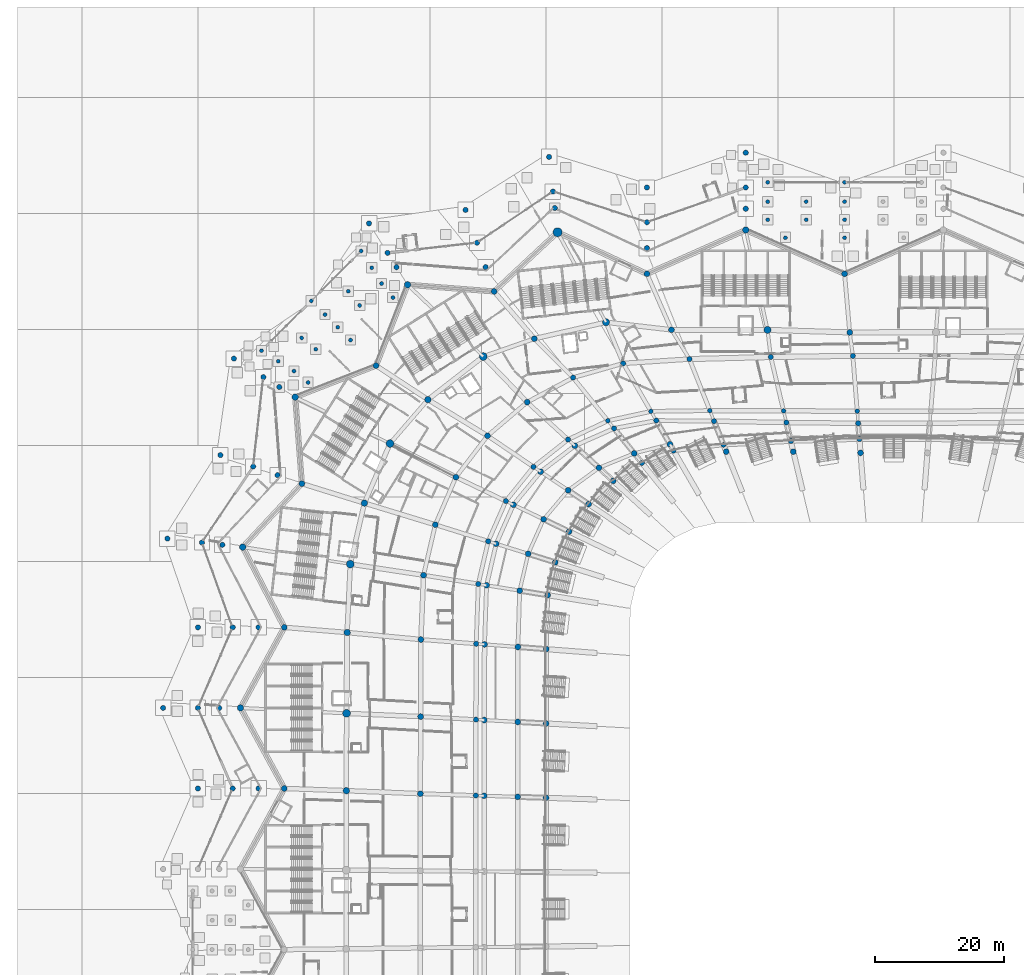
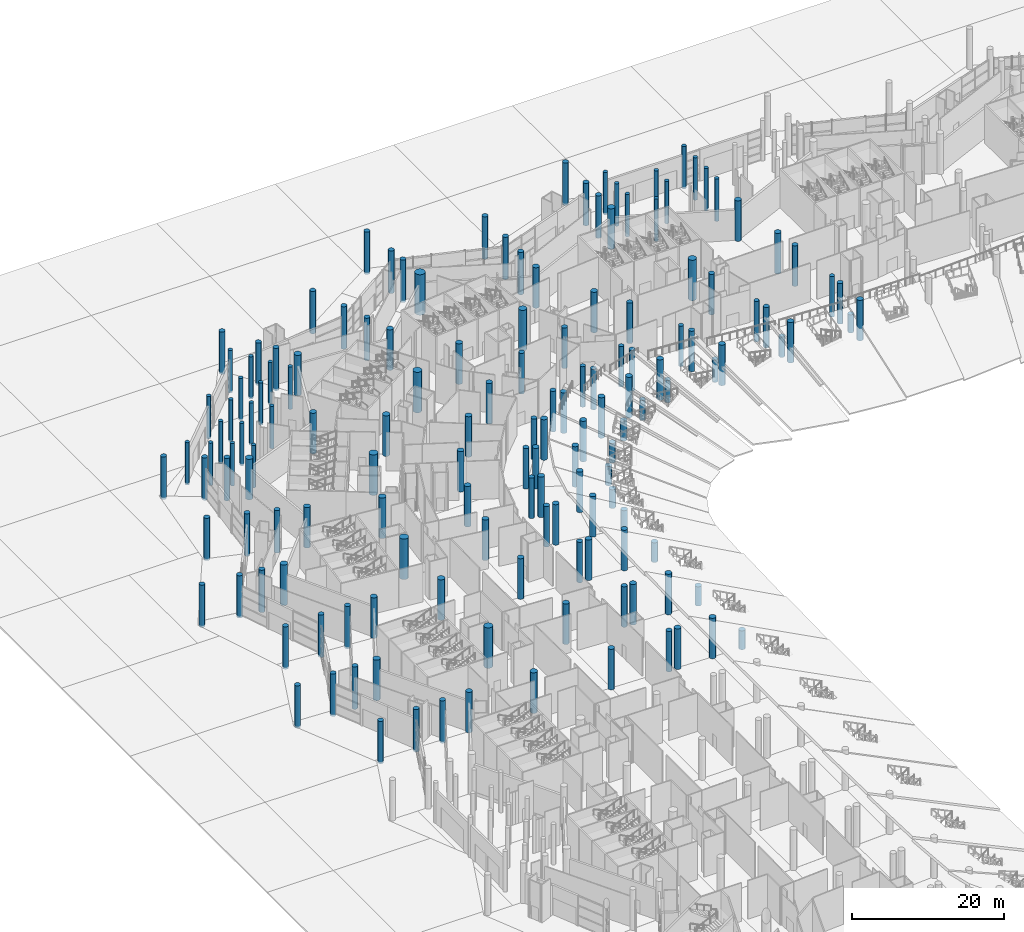
# One storey, part 13 of 255: 150 columns.
"""IFC4 building model written with IfcOpenShell, lengths in metres."""

from ifc_helpers import new_model, si_unit, direction, frame, origin, origin_2d, place, context, subcontext, project, spatial, circle, extrude, material, material_profile, profile_set, type_object, element, save


model = new_model("IFC4")

# Units and contexts
model_context = context("Model", 3, precision=1e-05, world=origin(), true_north=direction((0.0, 1.0)))
body_context = subcontext(model_context, "Body", "Model", "MODEL_VIEW")
ifc_project = project(units=[si_unit("LENGTHUNIT", "METRE"), si_unit("AREAUNIT", "SQUARE_METRE"), si_unit("VOLUMEUNIT", "CUBIC_METRE"), si_unit("PLANEANGLEUNIT", "RADIAN"), si_unit("MASSUNIT", "GRAM", prefix="KILO")], contexts=[model_context])

# Site, building, storey
site_placement = place(None, origin())
site = spatial("IfcSite", under=ifc_project, at=site_placement, CompositionType="ELEMENT")
building_placement = place(site_placement, origin())
building = spatial("IfcBuilding", under=site, at=building_placement, Name="Meseta Stadium", CompositionType="ELEMENT")
storey_placement = place(building_placement, origin())
storey = spatial("IfcBuildingStorey", under=building, at=storey_placement, Name="L00", CompositionType="ELEMENT", Elevation=0.0)

# Columns
ifc_material_1 = material(Name="Concrete C40/50", Category="concrete")
ifc_material_profile_1 = material_profile(ifc_material_1, circle(Radius=0.300048828125, at=origin_2d()), Name="RC D600")
ifc_profile_set_1 = profile_set([ifc_material_profile_1], Name="Concrete C40/50")
column_type_1 = type_object("IfcColumnType", Name="Gate column D600", PredefinedType="COLUMN", material=ifc_profile_set_1)
for number, where, z_axis, x_axis, name in (
    (1, (-7.666748046875, 104.199951171875, -0.300048828125), (0.0, 0.0, 1.0), (1.0, 0.0, 0.0), "Gate 3 column L00"),
    (2, (-16.85009765625, 104.199951171875, -0.300048828125), (0.0, 0.0, 1.0), (1.0, 0.0, 0.0), "Gate 3 column L00"),
    (3, (-7.666748046875, 107.0, -0.300048828125), (0.0, 0.0, 1.0), (1.0, 0.0, 0.0), "Gate 3 column L00"),
    (4, (-13.63330078125, 107.0, -0.300048828125), (0.0, 0.0, 1.0), (1.0, 0.0, 0.0), "Gate 3 column L00"),
    (5, (-19.60009765625, 107.0, -0.300048828125), (0.0, 0.0, 1.0), (1.0, 0.0, 0.0), "Gate 3 column L00"),
    (6, (-7.666748046875, 109.800048828125, -0.300048828125), (0.0, 0.0, 1.0), (1.0, 0.0, 0.0), "Gate 3 column L00"),
    (7, (-13.63330078125, 109.800048828125, -0.300048828125), (0.0, 0.0, 1.0), (1.0, 0.0, 0.0), "Gate 3 column L00"),
    (8, (-19.60009765625, 109.800048828125, -0.300048828125), (0.0, 0.0, 1.0), (1.0, 0.0, 0.0), "Gate 3 column L00"),
    (9, (-7.666748046875, 112.800048828125, -0.300048828125), (0.0, 0.0, 1.0), (1.0, 0.0, 0.0), "Gate 3 column L00"),
    (10, (-19.60009765625, 112.800048828125, -0.300048828125), (0.0, 0.0, 1.0), (1.0, 0.0, 0.0), "Gate 3 column L00"),
    (11, (-77.74169921875, 94.90869140625, -0.300048828125), (0.0, 0.0, 1.0), (1.0, 0.0, 0.0), "Gate 4 column L00"),
    (12, (-84.3251953125, 88.3251953125, -0.300048828125), (0.0, 0.0, 1.0), (1.0, 0.0, 0.0), "Gate 4 column L00"),
    (13, (-90.90869140625, 81.74169921875, -0.300048828125), (0.0, 0.0, 1.0), (1.0, 0.0, 0.0), "Gate 4 column L00"),
    (14, (-79.510009765625, 97.100341796875, -0.300048828125), (0.0, 0.0, 1.0), (1.0, 0.0, 0.0), "Gate 4 column L00"),
    (15, (-82.907470703125, 93.70263671875, -0.300048828125), (0.0, 0.0, 1.0), (1.0, 0.0, 0.0), "Gate 4 column L00"),
    (16, (-86.30517578125, 90.30517578125, -0.300048828125), (0.0, 0.0, 1.0), (1.0, 0.0, 0.0), "Gate 4 column L00"),
    (17, (-89.70263671875, 86.907470703125, -0.300048828125), (0.0, 0.0, 1.0), (1.0, 0.0, 0.0), "Gate 4 column L00"),
    (18, (-93.100341796875, 83.510009765625, -0.300048828125), (0.0, 0.0, 1.0), (1.0, 0.0, 0.0), "Gate 4 column L00"),
    (19, (-81.037841796875, 99.531982421875, -0.300048828125), (0.0, 0.0, 1.0), (1.0, 0.0, 0.0), "Gate 4 column L00"),
    (20, (-84.661376953125, 95.908447265625, -0.300048828125), (0.0, 0.0, 1.0), (1.0, 0.0, 0.0), "Gate 4 column L00"),
    (21, (-88.284912109375, 92.284912109375, -0.300048828125), (0.0, 0.0, 1.0), (1.0, 0.0, 0.0), "Gate 4 column L00"),
    (22, (-91.908447265625, 88.661376953125, -0.300048828125), (0.0, 0.0, 1.0), (1.0, 0.0, 0.0), "Gate 4 column L00"),
    (23, (-95.531982421875, 85.037841796875, -0.300048828125), (0.0, 0.0, 1.0), (1.0, 0.0, 0.0), "Gate 4 column L00"),
    (24, (-82.675048828125, 102.1376953125, -0.300048828125), (0.0, 0.0, 1.0), (1.0, 0.0, 0.0), "Gate 4 column L00"),
    (25, (-90.40625, 94.40625, -0.300048828125), (0.0, 0.0, 1.0), (1.0, 0.0, 0.0), "Gate 4 column L00"),
    (26, (-98.1376953125, 86.675048828125, -0.300048828125), (0.0, 0.0, 1.0), (1.0, 0.0, 0.0), "Gate 4 column L00"),
):
    element("IfcColumn", number, at=place(storey_placement, frame(where, z_axis=z_axis, x_axis=x_axis)), inside=storey, type_object=column_type_1, Name=name, PredefinedType="COLUMN", context=body_context, shape_type="SweptSolid", body=[
        extrude(circle(Radius=0.300048828125, at=origin_2d()), origin(), (0.0, 0.0, 1.0), 6.800048828125),
    ])
ifc_material_2 = material(Name="Concrete C40/50", Category="concrete")
ifc_material_profile_2 = material_profile(ifc_material_2, circle(Radius=0.5, at=origin_2d()), Name="RC D1000")
ifc_profile_set_2 = profile_set([ifc_material_profile_2], Name="Concrete C40/50")
column_type_2 = type_object("IfcColumnType", Name="RC column D1000", PredefinedType="COLUMN", material=ifc_profile_set_2)
for number, where, z_axis, x_axis, name in (
    (27, (-23.0, 105.39990234375, 0.0), (0.0, 0.0, 1.0), (1.0, 0.0, 0.0), "Column C10 L00 frame 20 line R"),
    (28, (-75.474609375, 96.908447265625, 0.0), (0.0, 0.0, 1.0), (1.0, 0.0, 0.0), "Column C10 L00 frame 24 line R"),
    (29, (-72.31201171875, 79.091064453125, 0.0), (0.0, 0.0, 1.0), (1.0, 0.0, 0.0), "Column C10 L00 frame 25 line P"),
    (30, (-92.908447265625, 79.474609375, 0.0), (0.0, 0.0, 1.0), (1.0, 0.0, 0.0), "Column C10 L00 frame 26 line R"),
    (31, (-82.169189453125, 63.03369140625, 0.0), (0.0, 0.0, 1.0), (1.0, 0.0, 0.0), "Column C10 L00 frame 27 line P"),
    (32, (-101.0517578125, 56.202880859375, 0.0), (0.0, 0.0, 1.0), (1.0, 0.0, 0.0), "Column C10 L00 frame 28 line R"),
    (33, (-84.85400390625, 42.948486328125, 0.0), (0.0, 0.0, 1.0), (1.0, 0.0, 0.0), "Column C10 L00 frame 29 line P"),
    (34, (-101.39990234375, 31.25, 0.0), (0.0, 0.0, 1.0), (1.0, 0.0, 0.0), "Column C10 L00 frame 30 line R"),
    (35, (-84.97314453125, 18.41064453125, 0.0), (0.0, 0.0, 1.0), (1.0, 0.0, 0.0), "Column C10 L00 frame 31 line P"),
):
    element("IfcColumn", number, at=place(storey_placement, frame(where, z_axis=z_axis, x_axis=x_axis)), inside=storey, type_object=column_type_2, Name=name, PredefinedType="COLUMN", context=body_context, shape_type="SweptSolid", body=[
        extrude(circle(Radius=0.5, at=origin_2d()), origin(), (0.0, 0.0, 1.0), 6.5),
    ])
ifc_material_3 = material(Name="Concrete C40/50", Category="concrete")
ifc_material_profile_3 = material_profile(ifc_material_3, circle(Radius=0.550048828125, at=origin_2d()), Name="RC D1100")
ifc_profile_set_3 = profile_set([ifc_material_profile_3], Name="Concrete C40/50")
column_type_3 = type_object("IfcColumnType", Name="RC column D1100", PredefinedType="COLUMN", material=ifc_profile_set_3)
for number, where, z_axis, x_axis, name in (
    (36, (-19.62744140625, 89.90380859375, 0.0), (0.0, 0.0, 1.0), (1.0, 0.0, 0.0), "Column C11 L00 frame 20 line P"),
    (37, (-44.6826171875, 91.0908203125, 0.0), (0.0, 0.0, 1.0), (1.0, 0.0, 0.0), "Column C11 L00 frame 22 line P"),
):
    element("IfcColumn", number, at=place(storey_placement, frame(where, z_axis=z_axis, x_axis=x_axis)), inside=storey, type_object=column_type_3, Name=name, PredefinedType="COLUMN", context=body_context, shape_type="SweptSolid", body=[
        extrude(circle(Radius=0.550048828125, at=origin_2d()), origin(), (0.0, 0.0, 1.0), 6.5),
    ])
ifc_material_4 = material(Name="Concrete C40/50", Category="concrete")
ifc_material_profile_4 = material_profile(ifc_material_4, circle(Radius=0.60009765625, at=origin_2d()), Name="RC D1200")
ifc_profile_set_4 = profile_set([ifc_material_profile_4], Name="Concrete C40/50")
column_type_4 = type_object("IfcColumnType", Name="RC column D1200", PredefinedType="COLUMN", material=ifc_profile_set_4)
for number, where, z_axis, x_axis, name in (
    (38, (-63.731201171875, 85.77099609375, 0.0), (0.0, 0.0, 1.0), (1.0, 0.0, 0.0), "Column C12 L00 frame 24 line P"),
    (39, (-78.197998046875, 72.27197265625, 0.0), (0.0, 0.0, 1.0), (1.0, 0.0, 0.0), "Column C12 L00 frame 26 line P"),
    (40, (-84.36328125, 53.5654296875, 0.0), (0.0, 0.0, 1.0), (1.0, 0.0, 0.0), "Column C12 L00 frame 28 line P"),
    (41, (-84.940673828125, 30.404052734375, 0.0), (0.0, 0.0, 1.0), (1.0, 0.0, 0.0), "Column C12 L00 frame 30 line P"),
):
    element("IfcColumn", number, at=place(storey_placement, frame(where, z_axis=z_axis, x_axis=x_axis)), inside=storey, type_object=column_type_4, Name=name, PredefinedType="COLUMN", context=body_context, shape_type="SweptSolid", body=[
        extrude(circle(Radius=0.60009765625, at=origin_2d()), origin(), (0.0, 0.0, 1.0), 6.5),
    ])
ifc_material_5 = material(Name="Concrete C40/50", Category="concrete")
ifc_material_profile_5 = material_profile(ifc_material_5, circle(Radius=0.699951171875, at=origin_2d()), Name="RC D1400")
ifc_profile_set_5 = profile_set([ifc_material_profile_5], Name="Concrete C40/50")
column_type_5 = type_object("IfcColumnType", Name="RC column D1400", PredefinedType="COLUMN", material=ifc_profile_set_5)
column_1_placement = place(storey_placement, frame((-52.202880859375, 105.0517578125, 0.0), z_axis=(0.0, 0.0, 1.0), x_axis=(1.0, 0.0, 0.0)))
element("IfcColumn", 42, at=column_1_placement, inside=storey, type_object=column_type_5, Name="Column C14 L00 frame 22 line R", PredefinedType="COLUMN", context=body_context, shape_type="SweptSolid", body=[
    extrude(circle(Radius=0.699951171875, at=origin_2d()), origin(), (0.0, 0.0, 1.0), 6.5),
])
ifc_material_6 = material(Name="Concrete C40/50", Category="concrete")
ifc_material_profile_6 = material_profile(ifc_material_6, circle(Radius=0.35009765625, at=origin_2d()), Name="RC D700")
ifc_profile_set_6 = profile_set([ifc_material_profile_6], Name="Concrete C40/50")
column_type_6 = type_object("IfcColumnType", Name="RC column D700", PredefinedType="COLUMN", material=ifc_profile_set_6)
for number, where, z_axis, x_axis, name in (
    (43, (-5.70654296875, 77.3037109375, 0.0), (0.0, 0.0, 1.0), (1.0, 0.0, 0.0), "Column C7 L00 frame 19 line D"),
    (44, (-17.126708984375, 77.33203125, 0.0), (0.0, 0.0, 1.0), (1.0, 0.0, 0.0), "Column C7 L00 frame 20 line D"),
    (45, (-28.564697265625, 77.38330078125, 0.0), (0.0, 0.0, 1.0), (1.0, 0.0, 0.0), "Column C7 L00 frame 21 line D"),
    (46, (-37.711669921875, 77.26171875, 0.0), (0.0, 0.0, 1.0), (1.0, 0.0, 0.0), "Column C7 L00 frame 22 line D"),
    (47, (-44.39013671875, 75.806396484375, 0.0), (0.0, 0.0, 1.0), (1.0, 0.0, 0.0), "Column C7 L00 frame 23 line D"),
):
    element("IfcColumn", number, at=place(storey_placement, frame(where, z_axis=z_axis, x_axis=x_axis)), inside=storey, type_object=column_type_6, Name=name, PredefinedType="COLUMN", context=body_context, shape_type="SweptSolid", body=[
        extrude(circle(Radius=0.35009765625, at=origin_2d()), origin(), (0.0, 0.0, 1.0), 6.5),
    ])
ifc_material_7 = material(Name="Concrete C40/50", Category="concrete")
ifc_material_profile_7 = material_profile(ifc_material_7, circle(Radius=0.39990234375, at=origin_2d()), Name="RC D800")
ifc_profile_set_7 = profile_set([ifc_material_profile_7], Name="Concrete C40/50")
column_type_7 = type_object("IfcColumnType", Name="RC column D800", PredefinedType="COLUMN", material=ifc_profile_set_7)
column_2_placement = place(storey_placement, frame((-5.36181640625, 72.959228515625, 0.0), z_axis=(0.0, 0.0, 1.0), x_axis=(1.0, 0.0, 0.0)))
element("IfcColumn", 48, at=column_2_placement, inside=storey, type_object=column_type_7, Name="Column C8 L00 frame 19 line B", PredefinedType="COLUMN", context=body_context, shape_type="SweptSolid", body=[
    extrude(circle(Radius=0.39990234375, at=origin_2d()), origin(), (0.0, 0.0, 1.0), 2.91455078125),
])
for number, where, z_axis, x_axis, name in (
    (49, (-5.556640625, 75.4150390625, 0.0), (0.0, 0.0, 1.0), (1.0, 0.0, 0.0), "Column C8 L00 frame 19 line C"),
    (50, (-6.386962890625, 85.876708984375, 0.0), (0.0, 0.0, 1.0), (1.0, 0.0, 0.0), "Column C8 L00 frame 19 line E"),
):
    element("IfcColumn", number, at=place(storey_placement, frame(where, z_axis=z_axis, x_axis=x_axis)), inside=storey, type_object=column_type_7, Name=name, PredefinedType="COLUMN", context=body_context, shape_type="SweptSolid", body=[
        extrude(circle(Radius=0.39990234375, at=origin_2d()), origin(), (0.0, 0.0, 1.0), 6.5),
    ])
column_3_placement = place(storey_placement, frame((-16.010986328125, 72.646484375, 0.0), z_axis=(0.0, 0.0, 1.0), x_axis=(1.0, 0.0, 0.0)))
element("IfcColumn", 51, at=column_3_placement, inside=storey, type_object=column_type_7, Name="Column C8 L00 frame 20 line B", PredefinedType="COLUMN", context=body_context, shape_type="SweptSolid", body=[
    extrude(circle(Radius=0.39990234375, at=origin_2d()), origin(), (0.0, 0.0, 1.0), 3.262451171875),
])
for number, where, z_axis, x_axis, name in (
    (52, (-16.697509765625, 75.529541015625, 0.0), (0.0, 0.0, 1.0), (1.0, 0.0, 0.0), "Column C8 L00 frame 20 line C"),
    (53, (-19.11865234375, 85.6982421875, 0.0), (0.0, 0.0, 1.0), (1.0, 0.0, 0.0), "Column C8 L00 frame 20 line E"),
):
    element("IfcColumn", number, at=place(storey_placement, frame(where, z_axis=z_axis, x_axis=x_axis)), inside=storey, type_object=column_type_7, Name=name, PredefinedType="COLUMN", context=body_context, shape_type="SweptSolid", body=[
        extrude(circle(Radius=0.39990234375, at=origin_2d()), origin(), (0.0, 0.0, 1.0), 6.5),
    ])
column_4_placement = place(storey_placement, frame((-26.461669921875, 72.08349609375, 0.0), z_axis=(0.0, 0.0, 1.0), x_axis=(1.0, 0.0, 0.0)))
element("IfcColumn", 54, at=column_4_placement, inside=storey, type_object=column_type_7, Name="Column C8 L00 frame 21 line B", PredefinedType="COLUMN", context=body_context, shape_type="SweptSolid", body=[
    extrude(circle(Radius=0.39990234375, at=origin_2d()), origin(), (0.0, 0.0, 1.0), 3.587646484375),
])
for number, where, z_axis, x_axis, name in (
    (55, (-27.910888671875, 75.735595703125, 0.0), (0.0, 0.0, 1.0), (1.0, 0.0, 0.0), "Column C8 L00 frame 21 line C"),
    (56, (-31.73681640625, 85.376708984375, 0.0), (0.0, 0.0, 1.0), (1.0, 0.0, 0.0), "Column C8 L00 frame 21 line E"),
):
    element("IfcColumn", number, at=place(storey_placement, frame(where, z_axis=z_axis, x_axis=x_axis)), inside=storey, type_object=column_type_7, Name=name, PredefinedType="COLUMN", context=body_context, shape_type="SweptSolid", body=[
        extrude(circle(Radius=0.39990234375, at=origin_2d()), origin(), (0.0, 0.0, 1.0), 6.5),
    ])
column_5_placement = place(storey_placement, frame((-34.185302734375, 71.16064453125, 0.0), z_axis=(0.0, 0.0, 1.0), x_axis=(1.0, 0.0, 0.0)))
element("IfcColumn", 57, at=column_5_placement, inside=storey, type_object=column_type_7, Name="Column C8 L00 frame 22 line B", PredefinedType="COLUMN", context=body_context, shape_type="SweptSolid", body=[
    extrude(circle(Radius=0.39990234375, at=origin_2d()), origin(), (0.0, 0.0, 1.0), 3.56884765625),
])
for number, where, z_axis, x_axis, name in (
    (58, (-36.8857421875, 75.8330078125, 0.0), (0.0, 0.0, 1.0), (1.0, 0.0, 0.0), "Column C8 L00 frame 22 line C"),
    (59, (-42.015625, 84.707275390625, 0.0), (0.0, 0.0, 1.0), (1.0, 0.0, 0.0), "Column C8 L00 frame 22 line E"),
):
    element("IfcColumn", number, at=place(storey_placement, frame(where, z_axis=z_axis, x_axis=x_axis)), inside=storey, type_object=column_type_7, Name=name, PredefinedType="COLUMN", context=body_context, shape_type="SweptSolid", body=[
        extrude(circle(Radius=0.39990234375, at=origin_2d()), origin(), (0.0, 0.0, 1.0), 6.5),
    ])
column_6_placement = place(storey_placement, frame((-39.11865234375, 69.274658203125, 0.0), z_axis=(0.0, 0.0, 1.0), x_axis=(1.0, 0.0, 0.0)))
element("IfcColumn", 60, at=column_6_placement, inside=storey, type_object=column_type_7, Name="Column C8 L00 frame 23 line B", PredefinedType="COLUMN", context=body_context, shape_type="SweptSolid", body=[
    extrude(circle(Radius=0.39990234375, at=origin_2d()), origin(), (0.0, 0.0, 1.0), 3.234130859375),
])
for number, where, z_axis, x_axis, name in (
    (61, (-43.430419921875, 74.617431640625, 0.0), (0.0, 0.0, 1.0), (1.0, 0.0, 0.0), "Column C8 L00 frame 23 line C"),
    (62, (-49.791259765625, 82.498779296875, 0.0), (0.0, 0.0, 1.0), (1.0, 0.0, 0.0), "Column C8 L00 frame 23 line E"),
    (63, (-50.571533203125, 72.888671875, 0.0), (0.0, 0.0, 1.0), (1.0, 0.0, 0.0), "Column C8 L00 frame 24 line D"),
    (64, (-55.940185546875, 68.657958984375, 0.0), (0.0, 0.0, 1.0), (1.0, 0.0, 0.0), "Column C8 L00 frame 25 line D"),
    (65, (-60.22216796875, 63.33056640625, 0.0), (0.0, 0.0, 1.0), (1.0, 0.0, 0.0), "Column C8 L00 frame 26 line D"),
    (66, (-62.963623046875, 57.1044921875, 0.0), (0.0, 0.0, 1.0), (1.0, 0.0, 0.0), "Column C8 L00 frame 27 line D"),
    (67, (-64.501708984375, 50.479736328125, 0.0), (0.0, 0.0, 1.0), (1.0, 0.0, 0.0), "Column C8 L00 frame 28 line D"),
    (68, (-64.829833984375, 41.2041015625, 0.0), (0.0, 0.0, 1.0), (1.0, 0.0, 0.0), "Column C8 L00 frame 29 line D"),
    (69, (-64.8642578125, 29.433349609375, 0.0), (0.0, 0.0, 1.0), (1.0, 0.0, 0.0), "Column C8 L00 frame 30 line D"),
    (70, (-64.886962890625, 17.66064453125, 0.0), (0.0, 0.0, 1.0), (1.0, 0.0, 0.0), "Column C8 L00 frame 31 line D"),
):
    element("IfcColumn", number, at=place(storey_placement, frame(where, z_axis=z_axis, x_axis=x_axis)), inside=storey, type_object=column_type_7, Name=name, PredefinedType="COLUMN", context=body_context, shape_type="SweptSolid", body=[
        extrude(circle(Radius=0.39990234375, at=origin_2d()), origin(), (0.0, 0.0, 1.0), 6.5),
    ])
for number, where, z_axis, x_axis, name in (
    (71, (-23.0, 108.699951171875, -0.300048828125), (0.0, 0.0, 1.0), (1.0, 0.0, 0.0), "Ring column C8 L00 frame 20 line M"),
    (72, (-23.0, 112.0, -0.300048828125), (0.0, 0.0, 1.0), (1.0, 0.0, 0.0), "Ring column C8 L00 frame 20 line Q"),
    (73, (-23.0, 117.39990234375, -0.300048828125), (0.0, 0.0, 1.0), (1.0, 0.0, 0.0), "Ring column C8 L00 frame 20 line O"),
    (74, (-38.333251953125, 102.60009765625, -0.300048828125), (0.0, 0.0, 1.0), (1.0, 0.0, 0.0), "Ring column C8 L00 frame 21 line M"),
    (75, (-38.333251953125, 106.60009765625, -0.300048828125), (0.0, 0.0, 1.0), (1.0, 0.0, 0.0), "Ring column C8 L00 frame 21 line Q"),
    (76, (-38.333251953125, 112.0, -0.300048828125), (0.0, 0.0, 1.0), (1.0, 0.0, 0.0), "Ring column C8 L00 frame 21 line O"),
    (77, (-52.626220703125, 108.80810546875, -0.300048828125), (0.0, 0.0, 1.0), (1.0, 0.0, 0.0), "Ring column C8 L00 frame 22 line M"),
    (78, (-52.9150390625, 111.372314453125, -0.300048828125), (0.0, 0.0, 1.0), (1.0, 0.0, 0.0), "Ring column C8 L00 frame 22 line Q"),
    (79, (-53.51953125, 116.73828125, -0.300048828125), (0.0, 0.0, 1.0), (1.0, 0.0, 0.0), "Ring column C8 L00 frame 22 line O"),
    (80, (-63.372802734375, 99.648193359375, -0.300048828125), (0.0, 0.0, 1.0), (1.0, 0.0, 0.0), "Ring column C8 L00 frame 23 line M"),
    (81, (-64.69384765625, 103.423828125, -0.300048828125), (0.0, 0.0, 1.0), (1.0, 0.0, 0.0), "Ring column C8 L00 frame 23 line Q"),
    (82, (-66.477294921875, 108.520751953125, -0.300048828125), (0.0, 0.0, 1.0), (1.0, 0.0, 0.0), "Ring column C8 L00 frame 23 line O"),
    (83, (-77.187255859375, 99.63427734375, -0.300048828125), (0.0, 0.0, 1.0), (1.0, 0.0, 0.0), "Ring column C8 L00 frame 24 line M"),
    (84, (-78.580810546875, 101.851806640625, -0.300048828125), (0.0, 0.0, 1.0), (1.0, 0.0, 0.0), "Ring column C8 L00 frame 24 line Q"),
    (85, (-81.45361328125, 106.42431640625, -0.300048828125), (0.0, 0.0, 1.0), (1.0, 0.0, 0.0), "Ring column C8 L00 frame 24 line O"),
    (86, (-95.380126953125, 81.027587890625, -0.300048828125), (0.0, 0.0, 1.0), (1.0, 0.0, 0.0), "Ring column C8 L00 frame 26 line M"),
    (87, (-97.851806640625, 82.580810546875, -0.300048828125), (0.0, 0.0, 1.0), (1.0, 0.0, 0.0), "Ring column C8 L00 frame 26 line Q"),
    (88, (-102.42431640625, 85.45361328125, -0.300048828125), (0.0, 0.0, 1.0), (1.0, 0.0, 0.0), "Ring column C8 L00 frame 26 line O"),
    (89, (-95.648193359375, 67.372802734375, -0.300048828125), (0.0, 0.0, 1.0), (1.0, 0.0, 0.0), "Ring column C8 L00 frame 27 line M"),
    (90, (-99.423828125, 68.69384765625, -0.300048828125), (0.0, 0.0, 1.0), (1.0, 0.0, 0.0), "Ring column C8 L00 frame 27 line Q"),
    (91, (-104.520751953125, 70.477294921875, -0.300048828125), (0.0, 0.0, 1.0), (1.0, 0.0, 0.0), "Ring column C8 L00 frame 27 line O"),
    (92, (-104.2119140625, 56.558837890625, -0.300048828125), (0.0, 0.0, 1.0), (1.0, 0.0, 0.0), "Ring column C8 L00 frame 28 line M"),
    (93, (-107.372314453125, 56.9150390625, -0.300048828125), (0.0, 0.0, 1.0), (1.0, 0.0, 0.0), "Ring column C8 L00 frame 28 line Q"),
    (94, (-112.73828125, 57.51953125, -0.300048828125), (0.0, 0.0, 1.0), (1.0, 0.0, 0.0), "Ring column C8 L00 frame 28 line O"),
    (95, (-98.60009765625, 43.75, -0.300048828125), (0.0, 0.0, 1.0), (1.0, 0.0, 0.0), "Ring column C8 L00 frame 29 line M"),
    (96, (-102.60009765625, 43.75, -0.300048828125), (0.0, 0.0, 1.0), (1.0, 0.0, 0.0), "Ring column C8 L00 frame 29 line Q"),
    (97, (-108.0, 43.75, -0.300048828125), (0.0, 0.0, 1.0), (1.0, 0.0, 0.0), "Ring column C8 L00 frame 29 line O"),
    (98, (-104.699951171875, 31.25, -0.300048828125), (0.0, 0.0, 1.0), (1.0, 0.0, 0.0), "Ring column C8 L00 frame 30 line M"),
    (99, (-108.0, 31.25, -0.300048828125), (0.0, 0.0, 1.0), (1.0, 0.0, 0.0), "Ring column C8 L00 frame 30 line Q"),
    (100, (-113.39990234375, 31.25, -0.300048828125), (0.0, 0.0, 1.0), (1.0, 0.0, 0.0), "Ring column C8 L00 frame 30 line O"),
    (101, (-98.60009765625, 18.75, -0.300048828125), (0.0, 0.0, 1.0), (1.0, 0.0, 0.0), "Ring column C8 L00 frame 31 line M"),
    (102, (-102.60009765625, 18.75, -0.300048828125), (0.0, 0.0, 1.0), (1.0, 0.0, 0.0), "Ring column C8 L00 frame 31 line Q"),
    (103, (-108.0, 18.75, -0.300048828125), (0.0, 0.0, 1.0), (1.0, 0.0, 0.0), "Ring column C8 L00 frame 31 line O"),
):
    element("IfcColumn", number, at=place(storey_placement, frame(where, z_axis=z_axis, x_axis=x_axis)), inside=storey, type_object=column_type_7, Name=name, PredefinedType="COLUMN", context=body_context, shape_type="SweptSolid", body=[
        extrude(circle(Radius=0.39990234375, at=origin_2d()), origin(), (0.0, 0.0, 1.0), 6.800048828125),
    ])
ifc_material_8 = material(Name="Concrete C40/50", Category="concrete")
ifc_material_profile_8 = material_profile(ifc_material_8, circle(Radius=0.449951171875, at=origin_2d()), Name="RC D900")
ifc_profile_set_8 = profile_set([ifc_material_profile_8], Name="Concrete C40/50")
column_type_8 = type_object("IfcColumnType", Name="RC column D900", PredefinedType="COLUMN", material=ifc_profile_set_8)
for number, where, z_axis, x_axis, name in (
    (104, (-5.1923828125, 70.823974609375, 0.0), (0.0, 0.0, 1.0), (1.0, 0.0, 0.0), "Column C9 L00 frame 19 line U"),
    (105, (-6.870849609375, 89.517822265625, 0.0), (0.0, 0.0, 1.0), (1.0, 0.0, 0.0), "Column C9 L00 frame 19 line P"),
    (106, (-7.666748046875, 98.60009765625, 0.0), (0.0, 0.0, 1.0), (1.0, 0.0, 0.0), "Column C9 L00 frame 19 line R"),
    (107, (-15.62109375, 71.0087890625, 0.0), (0.0, 0.0, 1.0), (1.0, 0.0, 0.0), "Column C9 L00 frame 20 line U"),
    (108, (-26.03759765625, 71.014404296875, 0.0), (0.0, 0.0, 1.0), (1.0, 0.0, 0.0), "Column C9 L00 frame 21 line U"),
    (109, (-34.53076171875, 89.911865234375, 0.0), (0.0, 0.0, 1.0), (1.0, 0.0, 0.0), "Column C9 L00 frame 21 line P"),
    (110, (-38.333251953125, 98.60009765625, 0.0), (0.0, 0.0, 1.0), (1.0, 0.0, 0.0), "Column C9 L00 frame 21 line R"),
    (111, (-34.7607421875, 72.15625, 0.0), (0.0, 0.0, 1.0), (1.0, 0.0, 0.0), "Column C9 L00 frame 22 line U"),
    (112, (-40.307861328125, 70.748291015625, 0.0), (0.0, 0.0, 1.0), (1.0, 0.0, 0.0), "Column C9 L00 frame 23 line U"),
    (113, (-55.799560546875, 88.541748046875, 0.0), (0.0, 0.0, 1.0), (1.0, 0.0, 0.0), "Column C9 L00 frame 23 line P"),
    (114, (-62.051513671875, 95.872802734375, 0.0), (0.0, 0.0, 1.0), (1.0, 0.0, 0.0), "Column C9 L00 frame 23 line R"),
):
    element("IfcColumn", number, at=place(storey_placement, frame(where, z_axis=z_axis, x_axis=x_axis)), inside=storey, type_object=column_type_8, Name=name, PredefinedType="COLUMN", context=body_context, shape_type="SweptSolid", body=[
        extrude(circle(Radius=0.449951171875, at=origin_2d()), origin(), (0.0, 0.0, 1.0), 6.5),
    ])
column_7_placement = place(storey_placement, frame((-43.5693359375, 66.478759765625, 0.0), z_axis=(0.0, 0.0, 1.0), x_axis=(1.0, 0.0, 0.0)))
element("IfcColumn", 115, at=column_7_placement, inside=storey, type_object=column_type_8, Name="Column C9 L00 frame 24 line B", PredefinedType="COLUMN", context=body_context, shape_type="SweptSolid", body=[
    extrude(circle(Radius=0.449951171875, at=origin_2d()), origin(), (0.0, 0.0, 1.0), 3.2021484375),
])
for number, where, z_axis, x_axis, name in (
    (116, (-45.777099609375, 68.499755859375, 0.0), (0.0, 0.0, 1.0), (1.0, 0.0, 0.0), "Column C9 L00 frame 24 line U"),
    (117, (-49.518310546875, 71.924560546875, 0.0), (0.0, 0.0, 1.0), (1.0, 0.0, 0.0), "Column C9 L00 frame 24 line C"),
    (118, (-56.9150390625, 78.69580078125, 0.0), (0.0, 0.0, 1.0), (1.0, 0.0, 0.0), "Column C9 L00 frame 24 line E"),
):
    element("IfcColumn", number, at=place(storey_placement, frame(where, z_axis=z_axis, x_axis=x_axis)), inside=storey, type_object=column_type_8, Name=name, PredefinedType="COLUMN", context=body_context, shape_type="SweptSolid", body=[
        extrude(circle(Radius=0.449951171875, at=origin_2d()), origin(), (0.0, 0.0, 1.0), 6.5),
    ])
column_8_placement = place(storey_placement, frame((-47.38134765625, 62.880126953125, 0.0), z_axis=(0.0, 0.0, 1.0), x_axis=(1.0, 0.0, 0.0)))
element("IfcColumn", 119, at=column_8_placement, inside=storey, type_object=column_type_8, Name="Column C9 L00 frame 25 line B", PredefinedType="COLUMN", context=body_context, shape_type="SweptSolid", body=[
    extrude(circle(Radius=0.449951171875, at=origin_2d()), origin(), (0.0, 0.0, 1.0), 3.139892578125),
])
for number, where, z_axis, x_axis, name in (
    (120, (-50.552978515625, 65.021240234375, 0.0), (0.0, 0.0, 1.0), (1.0, 0.0, 0.0), "Column C9 L00 frame 25 line U"),
    (121, (-54.819580078125, 67.901611328125, 0.0), (0.0, 0.0, 1.0), (1.0, 0.0, 0.0), "Column C9 L00 frame 25 line C"),
    (122, (-63.068115234375, 73.469970703125, 0.0), (0.0, 0.0, 1.0), (1.0, 0.0, 0.0), "Column C9 L00 frame 25 line E"),
    (123, (-80.365478515625, 84.365478515625, 0.0), (0.0, 0.0, 1.0), (1.0, 0.0, 0.0), "Column C9 L00 frame 25 line R"),
):
    element("IfcColumn", number, at=place(storey_placement, frame(where, z_axis=z_axis, x_axis=x_axis)), inside=storey, type_object=column_type_8, Name=name, PredefinedType="COLUMN", context=body_context, shape_type="SweptSolid", body=[
        extrude(circle(Radius=0.449951171875, at=origin_2d()), origin(), (0.0, 0.0, 1.0), 6.5),
    ])
column_9_placement = place(storey_placement, frame((-50.41650390625, 58.61474609375, 0.0), z_axis=(0.0, 0.0, 1.0), x_axis=(1.0, 0.0, 0.0)))
element("IfcColumn", 124, at=column_9_placement, inside=storey, type_object=column_type_8, Name="Column C9 L00 frame 26 line B", PredefinedType="COLUMN", context=body_context, shape_type="SweptSolid", body=[
    extrude(circle(Radius=0.449951171875, at=origin_2d()), origin(), (0.0, 0.0, 1.0), 3.07421875),
])
for number, where, z_axis, x_axis, name in (
    (125, (-54.3642578125, 60.513427734375, 0.0), (0.0, 0.0, 1.0), (1.0, 0.0, 0.0), "Column C9 L00 frame 26 line U"),
    (126, (-59.049072265625, 62.766357421875, 0.0), (0.0, 0.0, 1.0), (1.0, 0.0, 0.0), "Column C9 L00 frame 26 line C"),
    (127, (-67.972412109375, 67.057861328125, 0.0), (0.0, 0.0, 1.0), (1.0, 0.0, 0.0), "Column C9 L00 frame 26 line E"),
):
    element("IfcColumn", number, at=place(storey_placement, frame(where, z_axis=z_axis, x_axis=x_axis)), inside=storey, type_object=column_type_8, Name=name, PredefinedType="COLUMN", context=body_context, shape_type="SweptSolid", body=[
        extrude(circle(Radius=0.449951171875, at=origin_2d()), origin(), (0.0, 0.0, 1.0), 6.5),
    ])
column_10_placement = place(storey_placement, frame((-52.562744140625, 53.843505859375, 0.0), z_axis=(0.0, 0.0, 1.0), x_axis=(1.0, 0.0, 0.0)))
element("IfcColumn", 128, at=column_10_placement, inside=storey, type_object=column_type_8, Name="Column C9 L00 frame 27 line B", PredefinedType="COLUMN", context=body_context, shape_type="SweptSolid", body=[
    extrude(circle(Radius=0.449951171875, at=origin_2d()), origin(), (0.0, 0.0, 1.0), 3.00634765625),
])
for number, where, z_axis, x_axis, name in (
    (129, (-56.76123046875, 55.15966796875, 0.0), (0.0, 0.0, 1.0), (1.0, 0.0, 0.0), "Column C9 L00 frame 27 line U"),
    (130, (-61.72314453125, 56.715576171875, 0.0), (0.0, 0.0, 1.0), (1.0, 0.0, 0.0), "Column C9 L00 frame 27 line C"),
    (131, (-71.169677734375, 59.67724609375, 0.0), (0.0, 0.0, 1.0), (1.0, 0.0, 0.0), "Column C9 L00 frame 27 line E"),
    (132, (-91.872802734375, 66.051513671875, 0.0), (0.0, 0.0, 1.0), (1.0, 0.0, 0.0), "Column C9 L00 frame 27 line R"),
):
    element("IfcColumn", number, at=place(storey_placement, frame(where, z_axis=z_axis, x_axis=x_axis)), inside=storey, type_object=column_type_8, Name=name, PredefinedType="COLUMN", context=body_context, shape_type="SweptSolid", body=[
        extrude(circle(Radius=0.449951171875, at=origin_2d()), origin(), (0.0, 0.0, 1.0), 6.5),
    ])
column_11_placement = place(storey_placement, frame((-53.740234375, 48.74658203125, 0.0), z_axis=(0.0, 0.0, 1.0), x_axis=(1.0, 0.0, 0.0)))
element("IfcColumn", 133, at=column_11_placement, inside=storey, type_object=column_type_8, Name="Column C9 L00 frame 28 line B", PredefinedType="COLUMN", context=body_context, shape_type="SweptSolid", body=[
    extrude(circle(Radius=0.449951171875, at=origin_2d()), origin(), (0.0, 0.0, 1.0), 3.1513671875),
])
for number, where, z_axis, x_axis, name in (
    (134, (-58.084228515625, 49.4462890625, 0.0), (0.0, 0.0, 1.0), (1.0, 0.0, 0.0), "Column C9 L00 frame 28 line U"),
    (135, (-63.21826171875, 50.27294921875, 0.0), (0.0, 0.0, 1.0), (1.0, 0.0, 0.0), "Column C9 L00 frame 28 line C"),
    (136, (-72.9921875, 51.84716796875, 0.0), (0.0, 0.0, 1.0), (1.0, 0.0, 0.0), "Column C9 L00 frame 28 line E"),
):
    element("IfcColumn", number, at=place(storey_placement, frame(where, z_axis=z_axis, x_axis=x_axis)), inside=storey, type_object=column_type_8, Name=name, PredefinedType="COLUMN", context=body_context, shape_type="SweptSolid", body=[
        extrude(circle(Radius=0.449951171875, at=origin_2d()), origin(), (0.0, 0.0, 1.0), 6.5),
    ])
column_12_placement = place(storey_placement, frame((-53.9619140625, 40.369873046875, 0.0), z_axis=(0.0, 0.0, 1.0), x_axis=(1.0, 0.0, 0.0)))
element("IfcColumn", 137, at=column_12_placement, inside=storey, type_object=column_type_8, Name="Column C9 L00 frame 29 line B", PredefinedType="COLUMN", context=body_context, shape_type="SweptSolid", body=[
    extrude(circle(Radius=0.449951171875, at=origin_2d()), origin(), (0.0, 0.0, 1.0), 3.1494140625),
])
for number, where, z_axis, x_axis, name in (
    (138, (-58.348876953125, 40.70654296875, 0.0), (0.0, 0.0, 1.0), (1.0, 0.0, 0.0), "Column C9 L00 frame 29 line U"),
    (139, (-63.53369140625, 41.1044921875, 0.0), (0.0, 0.0, 1.0), (1.0, 0.0, 0.0), "Column C9 L00 frame 29 line C"),
    (140, (-73.40478515625, 41.8623046875, 0.0), (0.0, 0.0, 1.0), (1.0, 0.0, 0.0), "Column C9 L00 frame 29 line E"),
    (141, (-94.60009765625, 43.75, 0.0), (0.0, 0.0, 1.0), (1.0, 0.0, 0.0), "Column C9 L00 frame 29 line R"),
):
    element("IfcColumn", number, at=place(storey_placement, frame(where, z_axis=z_axis, x_axis=x_axis)), inside=storey, type_object=column_type_8, Name=name, PredefinedType="COLUMN", context=body_context, shape_type="SweptSolid", body=[
        extrude(circle(Radius=0.449951171875, at=origin_2d()), origin(), (0.0, 0.0, 1.0), 6.5),
    ])
column_13_placement = place(storey_placement, frame((-53.98046875, 28.836669921875, 0.0), z_axis=(0.0, 0.0, 1.0), x_axis=(1.0, 0.0, 0.0)))
element("IfcColumn", 142, at=column_13_placement, inside=storey, type_object=column_type_8, Name="Column C9 L00 frame 30 line B", PredefinedType="COLUMN", context=body_context, shape_type="SweptSolid", body=[
    extrude(circle(Radius=0.449951171875, at=origin_2d()), origin(), (0.0, 0.0, 1.0), 3.086669921875),
])
for number, where, z_axis, x_axis, name in (
    (143, (-58.3740234375, 29.07763671875, 0.0), (0.0, 0.0, 1.0), (1.0, 0.0, 0.0), "Column C9 L00 frame 30 line U"),
    (144, (-63.566162109375, 29.362060546875, 0.0), (0.0, 0.0, 1.0), (1.0, 0.0, 0.0), "Column C9 L00 frame 30 line C"),
    (145, (-73.451171875, 29.904052734375, 0.0), (0.0, 0.0, 1.0), (1.0, 0.0, 0.0), "Column C9 L00 frame 30 line E"),
):
    element("IfcColumn", number, at=place(storey_placement, frame(where, z_axis=z_axis, x_axis=x_axis)), inside=storey, type_object=column_type_8, Name=name, PredefinedType="COLUMN", context=body_context, shape_type="SweptSolid", body=[
        extrude(circle(Radius=0.449951171875, at=origin_2d()), origin(), (0.0, 0.0, 1.0), 6.5),
    ])
column_14_placement = place(storey_placement, frame((-53.992919921875, 17.302490234375, 0.0), z_axis=(0.0, 0.0, 1.0), x_axis=(1.0, 0.0, 0.0)))
element("IfcColumn", 146, at=column_14_placement, inside=storey, type_object=column_type_8, Name="Column C9 L00 frame 31 line B", PredefinedType="COLUMN", context=body_context, shape_type="SweptSolid", body=[
    extrude(circle(Radius=0.449951171875, at=origin_2d()), origin(), (0.0, 0.0, 1.0), 3.02392578125),
])
for number, where, z_axis, x_axis, name in (
    (147, (-58.390625, 17.447021484375, 0.0), (0.0, 0.0, 1.0), (1.0, 0.0, 0.0), "Column C9 L00 frame 31 line U"),
    (148, (-63.587890625, 17.617919921875, 0.0), (0.0, 0.0, 1.0), (1.0, 0.0, 0.0), "Column C9 L00 frame 31 line C"),
    (149, (-73.482421875, 17.943603515625, 0.0), (0.0, 0.0, 1.0), (1.0, 0.0, 0.0), "Column C9 L00 frame 31 line E"),
    (150, (-94.60009765625, 18.75, 0.0), (0.0, 0.0, 1.0), (1.0, 0.0, 0.0), "Column C9 L00 frame 31 line R"),
):
    element("IfcColumn", number, at=place(storey_placement, frame(where, z_axis=z_axis, x_axis=x_axis)), inside=storey, type_object=column_type_8, Name=name, PredefinedType="COLUMN", context=body_context, shape_type="SweptSolid", body=[
        extrude(circle(Radius=0.449951171875, at=origin_2d()), origin(), (0.0, 0.0, 1.0), 6.5),
    ])

save(model, "model.ifc")
